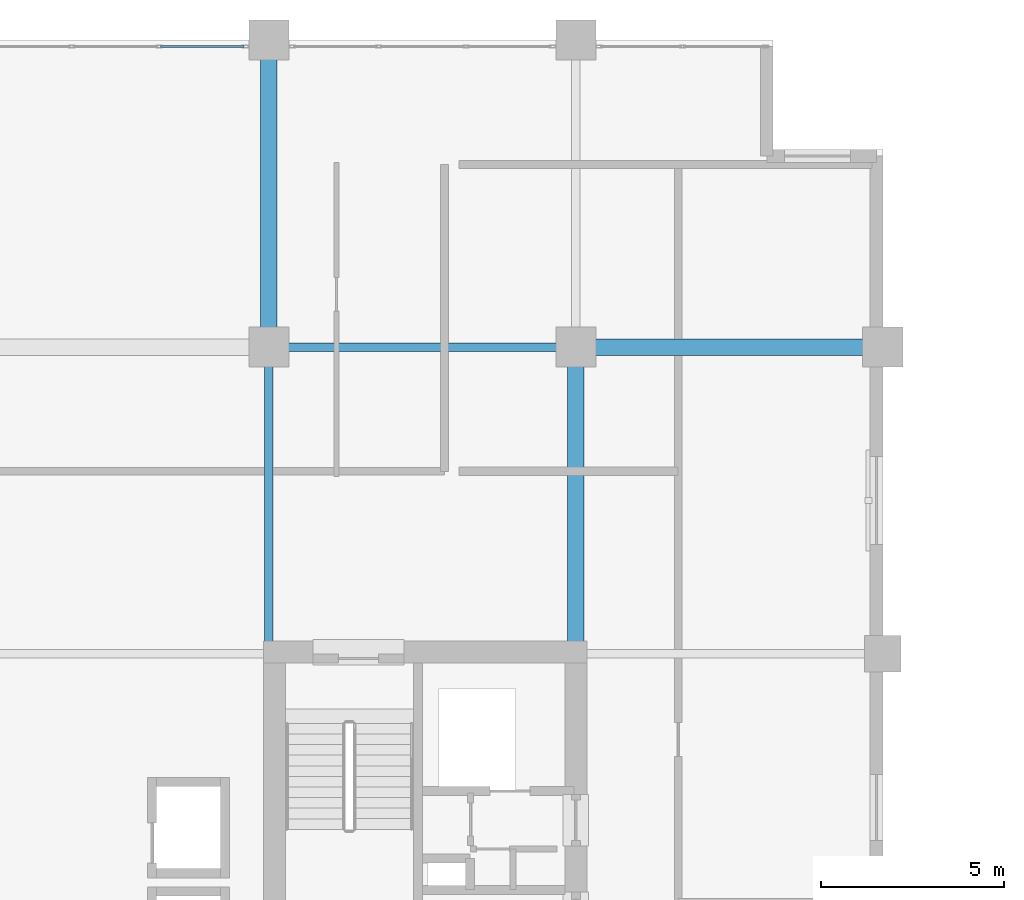
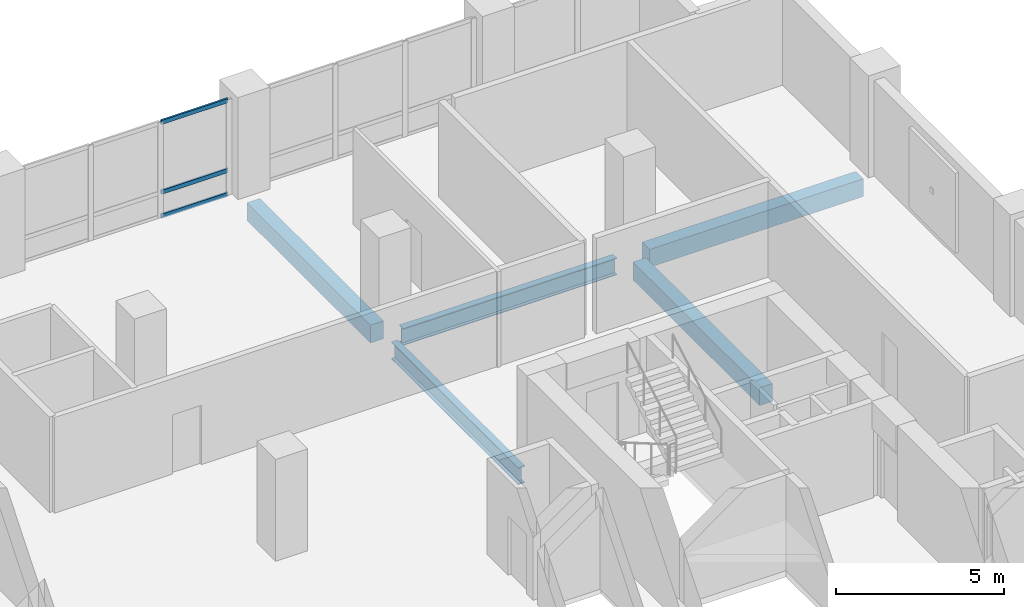
# One storey, part 4 of 18: 5 beams, 3 members, 1 element without a shape of its own.
"""IFC4 building model written with IfcOpenShell, lengths in metres."""

from ifc_helpers import new_model, si_unit, direction, frame, origin, origin_2d, place, context, subcontext, project, spatial, rectangle, hollow_rectangle, i_section, extrude, material, layer, layer_set, material_profile, profile_set, type_object, element, aggregate, save


model = new_model("IFC4")

# Units and contexts
model_context = context("Model", 3, precision=1e-05, world=origin(), true_north=direction((0.0, 1.0)))
body_context = subcontext(model_context, "Body", "Model", "MODEL_VIEW")
ifc_project = project(units=[si_unit("LENGTHUNIT", "METRE"), si_unit("AREAUNIT", "SQUARE_METRE"), si_unit("VOLUMEUNIT", "CUBIC_METRE"), si_unit("PLANEANGLEUNIT", "RADIAN"), si_unit("MASSUNIT", "GRAM", prefix="KILO")], contexts=[model_context])

# Site, building, storey
site_placement = place(None, origin())
site = spatial("IfcSite", under=ifc_project, at=site_placement, CompositionType="ELEMENT")
building_placement = place(site_placement, origin())
building = spatial("IfcBuilding", under=site, at=building_placement, Name="Koriwani Terraces Tower", CompositionType="ELEMENT")
storey_placement = place(building_placement, frame((0.0, 0.0, 205.0)))
storey = spatial("IfcBuildingStorey", under=building, at=storey_placement, Name="L50", CompositionType="ELEMENT", Elevation=205.0)

# Beams
ifc_material_1 = material(Name="Concrete C50/60", Category="concrete")
ifc_material_profile_1 = material_profile(ifc_material_1, rectangle(XDim=0.449951171875, YDim=0.64990234375, at=origin_2d()), Name="Concrete C50/60", Category="LoadBearing")
ifc_profile_set_1 = profile_set([ifc_material_profile_1], Name="Concrete C50/60")
beam_type_1 = type_object("IfcBeamType", Name="BEAM_RC_GRID_450X650", PredefinedType="BEAM", material=ifc_profile_set_1)
for number, where, z_axis, x_axis, name in (
    (1, (25.72998046875, 67.199951171875, -0.554931640625), (1.0, 0.0, 0.0), (0.0, 1.0, 0.0), "L50 Grid Beam I (25.2-33.6m)"),
    (2, (16.800048828125, 67.72998046875, -0.554931640625), (0.0, 1.0, 0.0), (-1.0, 0.0, 0.0), "L50 Grid Beam 3 (67.2-75.6m)"),
):
    element("IfcBeam", number, at=place(storey_placement, frame(where, z_axis=z_axis, x_axis=x_axis)), inside=storey, type_object=beam_type_1, Name=name, PredefinedType="BEAM", context=body_context, shape_type="SweptSolid", body=[
        extrude(rectangle(XDim=0.449951171875, YDim=0.64990234375, at=origin_2d()), origin(), (0.0, 0.0, 1.0), 7.340087890625),
    ])
beam_1_placement = place(storey_placement, frame((25.199951171875, 59.1298828125, -0.554931640625), z_axis=(0.0, 1.0, 0.0), x_axis=(-1.0, 0.0, 0.0)))
element("IfcBeam", 3, at=beam_1_placement, inside=storey, type_object=beam_type_1, Name="L50 Grid Beam 4 (58.8-67.2m)", PredefinedType="BEAM", context=body_context, shape_type="SweptSolid", body=[
    extrude(rectangle(XDim=0.449951171875, YDim=0.64990234375, at=origin_2d()), origin(), (0.0, 0.0, 1.0), 7.5400390625),
])

# Curtain wall, members
ifc_material_2 = material(Name="Anodised Bronze Aluminium", Category="aluminium")
ifc_layer = layer(ifc_material_2, 0.169921875, Name="Anodised Bronze Aluminium")
ifc_layer_set = layer_set([ifc_layer], Name="Anodised Bronze Aluminium")
curtain_wall_type = type_object("IfcCurtainWallType", Name="CW_RES_ZONE3", PredefinedType="NOTDEFINED", material=ifc_layer_set)
curtain_wall_placement = place(storey_placement, origin())
curtain_wall = element("IfcCurtainWall", 4, at=curtain_wall_placement, inside=storey, type_object=curtain_wall_type, Name="L50 Unitised Curtain Wall (N_TIP) Bay 2", PredefinedType="NOTDEFINED")
ifc_material_profile_2 = material_profile(ifc_material_2, hollow_rectangle(XDim=0.06494140625, YDim=0.14990234375, WallThickness=0.0048828125, at=origin_2d()), Name="Anodised Bronze Aluminium", Category="LoadBearing")
ifc_profile_set_2 = profile_set([ifc_material_profile_2], Name="Anodised Bronze Aluminium")
member_type = type_object("IfcMemberType", Name="CW_TRANSOM_150X65", PredefinedType="USERDEFINED", material=ifc_profile_set_2)
member_1_placement = place(storey_placement, frame((13.834228515625, 75.425048828125, 0.032470703125), z_axis=(1.0, 0.0, 0.0), x_axis=(0.0, 1.0, 0.0)))
member_1 = element("IfcMember", 5, at=member_1_placement, type_object=member_type, Name="CW-Z3 transom 3.1", ObjectType="TRANSOM", PredefinedType="USERDEFINED", context=body_context, shape_type="SweptSolid", body=[
    extrude(hollow_rectangle(XDim=0.06494140625, YDim=0.14990234375, WallThickness=0.0048828125, at=origin_2d()), origin(), (0.0, 0.0, 1.0), 2.28076171875),
])
member_2_placement = place(storey_placement, frame((13.834228515625, 75.425048828125, 0.89990234375), z_axis=(1.0, 0.0, 0.0), x_axis=(0.0, 1.0, 0.0)))
member_2 = element("IfcMember", 6, at=member_2_placement, type_object=member_type, Name="CW-Z3 transom 3.2", ObjectType="TRANSOM", PredefinedType="USERDEFINED", context=body_context, shape_type="SweptSolid", body=[
    extrude(hollow_rectangle(XDim=0.06494140625, YDim=0.14990234375, WallThickness=0.0048828125, at=origin_2d()), origin(), (0.0, 0.0, 1.0), 2.28076171875),
])
member_3_placement = place(storey_placement, frame((13.834228515625, 75.425048828125, 3.4375), z_axis=(1.0, 0.0, 0.0), x_axis=(0.0, 1.0, 0.0)))
member_3 = element("IfcMember", 7, at=member_3_placement, type_object=member_type, Name="CW-Z3 transom 3.3", ObjectType="TRANSOM", PredefinedType="USERDEFINED", context=body_context, shape_type="SweptSolid", body=[
    extrude(hollow_rectangle(XDim=0.06494140625, YDim=0.14990234375, WallThickness=0.0048828125, at=origin_2d()), origin(), (0.0, 0.0, 1.0), 2.28076171875),
])
aggregate(curtain_wall, [member_1, member_2, member_3])

# Beams
ifc_material_3 = material(Name="Steel ASTM A572 Grade 50", Category="steel")
ifc_material_profile_3 = material_profile(ifc_material_3, i_section(OverallWidth=0.23095703125, OverallDepth=0.616943359375, WebThickness=0.015380859375, FlangeThickness=0.0244140625, at=origin_2d()), Name="Steel ASTM A572 Grade 50", Category="LoadBearing")
ifc_profile_set_3 = profile_set([ifc_material_profile_3], Name="Steel ASTM A572 Grade 50")
beam_type_2 = type_object("IfcBeamType", Name="STEEL_BEAM_W610X195", PredefinedType="BEAM", material=ifc_profile_set_3)
beam_2_placement = place(storey_placement, frame((17.330078125, 67.199951171875, -0.53857421875), z_axis=(1.0, 0.0, 0.0), x_axis=(0.0, 1.0, 0.0)))
element("IfcBeam", 8, at=beam_2_placement, inside=storey, type_object=beam_type_2, Name="L50 Grid Beam I (16.8-25.2m)", PredefinedType="BEAM", context=body_context, shape_type="SweptSolid", body=[
    extrude(i_section(OverallWidth=0.23095703125, OverallDepth=0.616943359375, WebThickness=0.015380859375, FlangeThickness=0.0244140625, at=origin_2d()), origin(), (0.0, 0.0, 1.0), 7.33984375),
])
beam_3_placement = place(storey_placement, frame((16.800048828125, 59.1298828125, -0.53857421875), z_axis=(0.0, 1.0, 0.0), x_axis=(-1.0, 0.0, 0.0)))
element("IfcBeam", 9, at=beam_3_placement, inside=storey, type_object=beam_type_2, Name="L50 Grid Beam 3 (58.8-67.2m)", PredefinedType="BEAM", context=body_context, shape_type="SweptSolid", body=[
    extrude(i_section(OverallWidth=0.23095703125, OverallDepth=0.616943359375, WebThickness=0.015380859375, FlangeThickness=0.0244140625, at=origin_2d()), origin(), (0.0, 0.0, 1.0), 7.5400390625),
])

save(model, "model.ifc")
